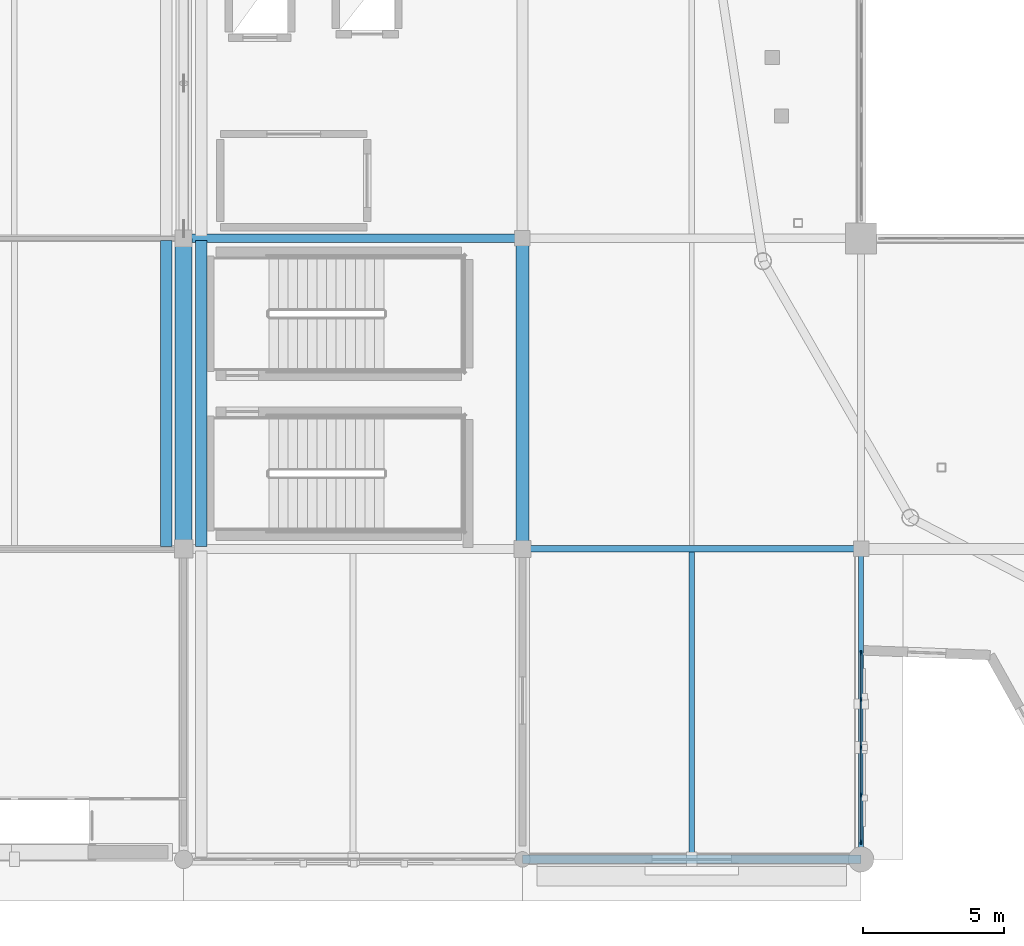
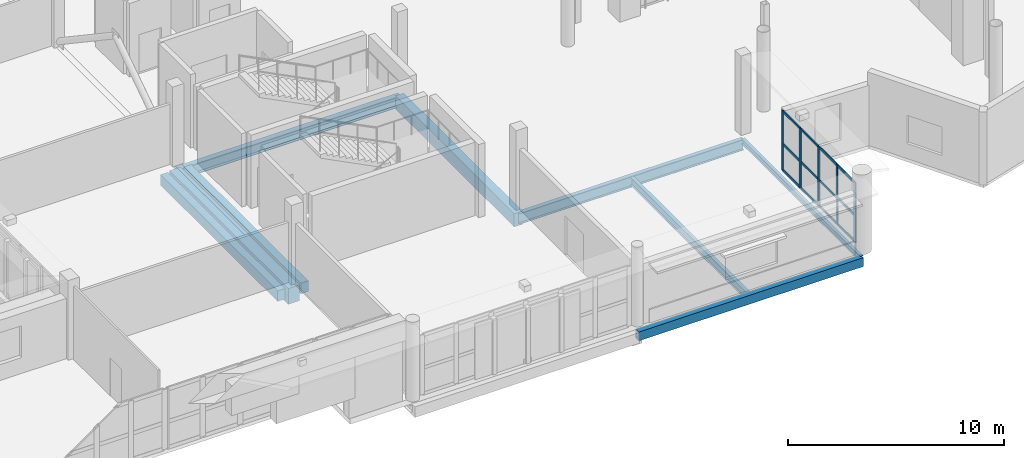
# One storey, part 27 of 118: 17 members, 9 beams, 1 element without a shape of its own.
"""IFC4 building model written with IfcOpenShell, lengths in metres."""

from ifc_helpers import new_model, si_unit, direction, frame, origin, origin_2d, place, context, subcontext, project, spatial, rectangle, hollow_rectangle, i_section, extrude, material, material_profile, profile_set, type_object, element, aggregate, save


model = new_model("IFC4")

# Units and contexts
model_context = context("Model", 3, precision=1e-05, world=origin(), true_north=direction((0.0, 1.0)))
body_context = subcontext(model_context, "Body", "Model", "MODEL_VIEW")
ifc_project = project(units=[si_unit("LENGTHUNIT", "METRE"), si_unit("AREAUNIT", "SQUARE_METRE"), si_unit("VOLUMEUNIT", "CUBIC_METRE"), si_unit("PLANEANGLEUNIT", "RADIAN"), si_unit("MASSUNIT", "GRAM", prefix="KILO")], contexts=[model_context])

# Site, building, storey
site_placement = place(None, origin())
site = spatial("IfcSite", under=ifc_project, at=site_placement, CompositionType="ELEMENT")
building_placement = place(site_placement, origin())
building = spatial("IfcBuilding", under=site, at=building_placement, Name="Luwafu Chhajja Arena", CompositionType="ELEMENT")
storey_placement = place(building_placement, frame((0.0, 0.0, 10.199951171875)))
storey = spatial("IfcBuildingStorey", under=building, at=storey_placement, Name="L02", CompositionType="ELEMENT", Elevation=10.199951171875)

# Curtain wall, members
ifc_material_1 = material(Name="Anodised bronze aluminium", Category="aluminium")
curtain_wall_type = type_object("IfcCurtainWallType", Name="Community Hall Street Curtain Wall", PredefinedType="USERDEFINED", material=ifc_material_1)
curtain_wall_placement = place(storey_placement, origin())
curtain_wall = element("IfcCurtainWall", 1, at=curtain_wall_placement, inside=storey, type_object=curtain_wall_type, Name="L02 Curtain Wall CWG-L02-V05_00", ObjectType="CURTAIN WALL", PredefinedType="USERDEFINED")
ifc_material_profile_1 = material_profile(ifc_material_1, rectangle(XDim=0.06005859375, YDim=0.159912109375, at=origin_2d()), Name="CWM 60x160")
ifc_profile_set_1 = profile_set([ifc_material_profile_1], Name="Anodised bronze aluminium")
member_type_1 = type_object("IfcMemberType", Name="Bronze Curtain Wall Mullion 60x160", PredefinedType="MULLION", material=ifc_profile_set_1)
member_1_placement = place(storey_placement, frame((58.0, 0.6201171875, 0.030029296875), z_axis=(0.0, 0.0, 1.0), x_axis=(-1.0, 0.0, 0.0)))
member_1 = element("IfcMember", 2, at=member_1_placement, type_object=member_type_1, Name="CW-09 mullion 1", PredefinedType="MULLION", context=body_context, shape_type="SweptSolid", body=[
    extrude(rectangle(XDim=0.06005859375, YDim=0.159912109375, at=origin_2d()), origin(), (0.0, 0.0, 1.0), 3.375),
])
member_2_placement = place(storey_placement, frame((58.0, 2.279541015625, 0.030029296875), z_axis=(0.0, 0.0, 1.0), x_axis=(-1.0, 0.0, 0.0)))
member_2 = element("IfcMember", 3, at=member_2_placement, type_object=member_type_1, Name="CW-09 mullion 2", PredefinedType="MULLION", context=body_context, shape_type="SweptSolid", body=[
    extrude(rectangle(XDim=0.06005859375, YDim=0.159912109375, at=origin_2d()), origin(), (0.0, 0.0, 1.0), 3.375),
])
member_3_placement = place(storey_placement, frame((58.0, 3.96923828125, 0.030029296875), z_axis=(0.0, 0.0, 1.0), x_axis=(-1.0, 0.0, 0.0)))
member_3 = element("IfcMember", 4, at=member_3_placement, type_object=member_type_1, Name="CW-09 mullion 3", PredefinedType="MULLION", context=body_context, shape_type="SweptSolid", body=[
    extrude(rectangle(XDim=0.06005859375, YDim=0.159912109375, at=origin_2d()), origin(), (0.0, 0.0, 1.0), 3.375),
])
member_4_placement = place(storey_placement, frame((58.0, 5.65869140625, 0.030029296875), z_axis=(0.0, 0.0, 1.0), x_axis=(-1.0, 0.0, 0.0)))
member_4 = element("IfcMember", 5, at=member_4_placement, type_object=member_type_1, Name="CW-09 mullion 4", PredefinedType="MULLION", context=body_context, shape_type="SweptSolid", body=[
    extrude(rectangle(XDim=0.06005859375, YDim=0.159912109375, at=origin_2d()), origin(), (0.0, 0.0, 1.0), 3.375),
])
member_5_placement = place(storey_placement, frame((58.0, 7.318359375, 0.030029296875), z_axis=(0.0, 0.0, 1.0), x_axis=(-1.0, 0.0, 0.0)))
member_5 = element("IfcMember", 6, at=member_5_placement, type_object=member_type_1, Name="CW-09 mullion 5", PredefinedType="MULLION", context=body_context, shape_type="SweptSolid", body=[
    extrude(rectangle(XDim=0.06005859375, YDim=0.159912109375, at=origin_2d()), origin(), (0.0, 0.0, 1.0), 3.375),
])
ifc_material_profile_2 = material_profile(ifc_material_1, rectangle(XDim=0.06005859375, YDim=0.1298828125, at=origin_2d()), Name="CWT 60x130")
ifc_profile_set_2 = profile_set([ifc_material_profile_2], Name="Anodised bronze aluminium")
member_type_2 = type_object("IfcMemberType", Name="Bronze Curtain Wall Transom 60x130", PredefinedType="USERDEFINED", material=ifc_profile_set_2)
member_6_placement = place(storey_placement, frame((58.0, 0.64990234375, 0.06005859375), z_axis=(0.0, 1.0, 0.0), x_axis=(-1.0, 0.0, 0.0)))
member_6 = element("IfcMember", 7, at=member_6_placement, type_object=member_type_2, Name="CW-09 transom 1.1", ObjectType="TRANSOM", PredefinedType="USERDEFINED", context=body_context, shape_type="SweptSolid", body=[
    extrude(rectangle(XDim=0.06005859375, YDim=0.1298828125, at=origin_2d()), origin(), (0.0, 0.0, 1.0), 1.599609375),
])
member_7_placement = place(storey_placement, frame((58.0, 0.64990234375, 1.532470703125), z_axis=(0.0, 1.0, 0.0), x_axis=(-1.0, 0.0, 0.0)))
member_7 = element("IfcMember", 8, at=member_7_placement, type_object=member_type_2, Name="CW-09 transom 1.2", ObjectType="TRANSOM", PredefinedType="USERDEFINED", context=body_context, shape_type="SweptSolid", body=[
    extrude(rectangle(XDim=0.06005859375, YDim=0.1298828125, at=origin_2d()), origin(), (0.0, 0.0, 1.0), 1.599609375),
])
member_8_placement = place(storey_placement, frame((58.0, 0.64990234375, 3.375), z_axis=(0.0, 1.0, 0.0), x_axis=(-1.0, 0.0, 0.0)))
member_8 = element("IfcMember", 9, at=member_8_placement, type_object=member_type_2, Name="CW-09 transom 1.3", ObjectType="TRANSOM", PredefinedType="USERDEFINED", context=body_context, shape_type="SweptSolid", body=[
    extrude(rectangle(XDim=0.06005859375, YDim=0.1298828125, at=origin_2d()), origin(), (0.0, 0.0, 1.0), 1.599609375),
])
member_9_placement = place(storey_placement, frame((58.0, 2.3095703125, 0.06005859375), z_axis=(0.0, 1.0, 0.0), x_axis=(-1.0, 0.0, 0.0)))
member_9 = element("IfcMember", 10, at=member_9_placement, type_object=member_type_2, Name="CW-09 transom 2.1", ObjectType="TRANSOM", PredefinedType="USERDEFINED", context=body_context, shape_type="SweptSolid", body=[
    extrude(rectangle(XDim=0.06005859375, YDim=0.1298828125, at=origin_2d()), origin(), (0.0, 0.0, 1.0), 1.629638671875),
])
member_10_placement = place(storey_placement, frame((58.0, 2.3095703125, 1.532470703125), z_axis=(0.0, 1.0, 0.0), x_axis=(-1.0, 0.0, 0.0)))
member_10 = element("IfcMember", 11, at=member_10_placement, type_object=member_type_2, Name="CW-09 transom 2.2", ObjectType="TRANSOM", PredefinedType="USERDEFINED", context=body_context, shape_type="SweptSolid", body=[
    extrude(rectangle(XDim=0.06005859375, YDim=0.1298828125, at=origin_2d()), origin(), (0.0, 0.0, 1.0), 1.629638671875),
])
member_11_placement = place(storey_placement, frame((58.0, 2.3095703125, 3.375), z_axis=(0.0, 1.0, 0.0), x_axis=(-1.0, 0.0, 0.0)))
member_11 = element("IfcMember", 12, at=member_11_placement, type_object=member_type_2, Name="CW-09 transom 2.3", ObjectType="TRANSOM", PredefinedType="USERDEFINED", context=body_context, shape_type="SweptSolid", body=[
    extrude(rectangle(XDim=0.06005859375, YDim=0.1298828125, at=origin_2d()), origin(), (0.0, 0.0, 1.0), 1.629638671875),
])
member_12_placement = place(storey_placement, frame((58.0, 3.999267578125, 0.06005859375), z_axis=(0.0, 1.0, 0.0), x_axis=(-1.0, 0.0, 0.0)))
member_12 = element("IfcMember", 13, at=member_12_placement, type_object=member_type_2, Name="CW-09 transom 3.1", ObjectType="TRANSOM", PredefinedType="USERDEFINED", context=body_context, shape_type="SweptSolid", body=[
    extrude(rectangle(XDim=0.06005859375, YDim=0.1298828125, at=origin_2d()), origin(), (0.0, 0.0, 1.0), 1.62939453125),
])
member_13_placement = place(storey_placement, frame((58.0, 3.999267578125, 1.532470703125), z_axis=(0.0, 1.0, 0.0), x_axis=(-1.0, 0.0, 0.0)))
member_13 = element("IfcMember", 14, at=member_13_placement, type_object=member_type_2, Name="CW-09 transom 3.2", ObjectType="TRANSOM", PredefinedType="USERDEFINED", context=body_context, shape_type="SweptSolid", body=[
    extrude(rectangle(XDim=0.06005859375, YDim=0.1298828125, at=origin_2d()), origin(), (0.0, 0.0, 1.0), 1.62939453125),
])
member_14_placement = place(storey_placement, frame((58.0, 3.999267578125, 3.375), z_axis=(0.0, 1.0, 0.0), x_axis=(-1.0, 0.0, 0.0)))
member_14 = element("IfcMember", 15, at=member_14_placement, type_object=member_type_2, Name="CW-09 transom 3.3", ObjectType="TRANSOM", PredefinedType="USERDEFINED", context=body_context, shape_type="SweptSolid", body=[
    extrude(rectangle(XDim=0.06005859375, YDim=0.1298828125, at=origin_2d()), origin(), (0.0, 0.0, 1.0), 1.62939453125),
])
member_15_placement = place(storey_placement, frame((58.0, 5.688720703125, 0.06005859375), z_axis=(0.0, 1.0, 0.0), x_axis=(-1.0, 0.0, 0.0)))
member_15 = element("IfcMember", 16, at=member_15_placement, type_object=member_type_2, Name="CW-09 transom 4.1", ObjectType="TRANSOM", PredefinedType="USERDEFINED", context=body_context, shape_type="SweptSolid", body=[
    extrude(rectangle(XDim=0.06005859375, YDim=0.1298828125, at=origin_2d()), origin(), (0.0, 0.0, 1.0), 1.599609375),
])
member_16_placement = place(storey_placement, frame((58.0, 5.688720703125, 1.532470703125), z_axis=(0.0, 1.0, 0.0), x_axis=(-1.0, 0.0, 0.0)))
member_16 = element("IfcMember", 17, at=member_16_placement, type_object=member_type_2, Name="CW-09 transom 4.2", ObjectType="TRANSOM", PredefinedType="USERDEFINED", context=body_context, shape_type="SweptSolid", body=[
    extrude(rectangle(XDim=0.06005859375, YDim=0.1298828125, at=origin_2d()), origin(), (0.0, 0.0, 1.0), 1.599609375),
])
member_17_placement = place(storey_placement, frame((58.0, 5.688720703125, 3.375), z_axis=(0.0, 1.0, 0.0), x_axis=(-1.0, 0.0, 0.0)))
member_17 = element("IfcMember", 18, at=member_17_placement, type_object=member_type_2, Name="CW-09 transom 4.3", ObjectType="TRANSOM", PredefinedType="USERDEFINED", context=body_context, shape_type="SweptSolid", body=[
    extrude(rectangle(XDim=0.06005859375, YDim=0.1298828125, at=origin_2d()), origin(), (0.0, 0.0, 1.0), 1.599609375),
])
aggregate(curtain_wall, [member_1, member_2, member_3, member_4, member_5, member_6, member_7, member_8, member_9, member_10, member_11, member_12, member_13, member_14, member_15, member_16, member_17])

# Beams
ifc_material_2 = material(Name="Steel S355", Category="steel")
ifc_material_profile_3 = material_profile(ifc_material_2, i_section(OverallWidth=0.165771484375, OverallDepth=0.306640625, WebThickness=0.006591796875, FlangeThickness=0.01171875, at=origin_2d()), Name="UB 305x165x46")
ifc_profile_set_3 = profile_set([ifc_material_profile_3], Name="Steel S355")
beam_type_1 = type_object("IfcBeamType", Name="Concourse Edge Spandrel Beam UB 305x165x46", PredefinedType="SPANDREL", material=ifc_profile_set_3)
beam_1_placement = place(storey_placement, frame((58.0, 0.0, -0.543212890625), z_axis=(0.0, 1.0, 0.0), x_axis=(-1.0, 0.0, 0.0)))
element("IfcBeam", 19, at=beam_1_placement, inside=storey, type_object=beam_type_1, Name="L02 Grid Beam 6/A-B", PredefinedType="SPANDREL", context=body_context, shape_type="SweptSolid", body=[
    extrude(i_section(OverallWidth=0.165771484375, OverallDepth=0.306640625, WebThickness=0.006591796875, FlangeThickness=0.01171875, at=origin_2d()), origin(), (0.0, 0.0, 1.0), 11.0),
])
ifc_material_3 = material(Name="Concrete C35/45", Category="concrete")
ifc_material_profile_4 = material_profile(ifc_material_3, rectangle(XDim=0.60009765625, YDim=0.89990234375, at=origin_2d()), Name="RC 600x900")
ifc_profile_set_4 = profile_set([ifc_material_profile_4], Name="Concrete C35/45")
beam_type_2 = type_object("IfcBeamType", Name="Concourse Primary Girder RC 600x900", PredefinedType="BEAM", material=ifc_profile_set_4)
beam_2_placement = place(storey_placement, frame((34.0, 11.0, -0.83984375), z_axis=(0.0, 1.0, 0.0), x_axis=(-1.0, 0.0, 0.0)))
element("IfcBeam", 20, at=beam_2_placement, inside=storey, type_object=beam_type_2, Name="L02 Grid Beam 4/B-C", PredefinedType="BEAM", context=body_context, shape_type="SweptSolid", body=[
    extrude(rectangle(XDim=0.60009765625, YDim=0.89990234375, at=origin_2d()), origin(), (0.0, 0.0, 1.0), 11.0),
])
ifc_material_profile_5 = material_profile(ifc_material_2, i_section(OverallWidth=0.19140625, OverallDepth=0.4599609375, WebThickness=0.010009765625, FlangeThickness=0.01611328125, at=origin_2d()), Name="UB 457x191x82")
ifc_profile_set_5 = profile_set([ifc_material_profile_5], Name="Steel S355")
beam_type_3 = type_object("IfcBeamType", Name="Floor Joist UB 457x191x82", PredefinedType="JOIST", material=ifc_profile_set_5)
beam_3_placement = place(storey_placement, frame((52.0, 0.14990234375, -0.619873046875), z_axis=(0.0, 1.0, 0.0), x_axis=(-1.0, 0.0, 0.0)))
element("IfcBeam", 21, at=beam_3_placement, inside=storey, type_object=beam_type_3, Name="L02 Secondary Joist 5-6/A", PredefinedType="JOIST", context=body_context, shape_type="SweptSolid", body=[
    extrude(i_section(OverallWidth=0.19140625, OverallDepth=0.4599609375, WebThickness=0.010009765625, FlangeThickness=0.01611328125, at=origin_2d()), origin(), (0.0, 0.0, 1.0), 10.735595703125),
])
ifc_material_profile_6 = material_profile(ifc_material_2, hollow_rectangle(XDim=0.300048828125, YDim=0.5, WallThickness=0.02001953125, at=origin_2d()), Name="RHS 500x300x20")
ifc_profile_set_6 = profile_set([ifc_material_profile_6], Name="Steel S355")
beam_type_4 = type_object("IfcBeamType", Name="Pleated Drum Spandrel Beam RHS 500x300", PredefinedType="SPANDREL", material=ifc_profile_set_6)
beam_4_placement = place(storey_placement, frame((46.0, 0.0, -0.639892578125), z_axis=(1.0, 0.0, 0.0), x_axis=(0.0, 1.0, 0.0)))
element("IfcBeam", 22, at=beam_4_placement, inside=storey, type_object=beam_type_4, Name="L02 Grid Beam 5-6/A", PredefinedType="SPANDREL", context=body_context, shape_type="SweptSolid", body=[
    extrude(hollow_rectangle(XDim=0.300048828125, YDim=0.5, WallThickness=0.02001953125, at=origin_2d()), origin(), (0.0, 0.0, 1.0), 12.0),
])
ifc_material_profile_7 = material_profile(ifc_material_3, rectangle(XDim=0.39990234375, YDim=0.60009765625, at=origin_2d()), Name="RC 400x600")
ifc_profile_set_7 = profile_set([ifc_material_profile_7], Name="Concrete C35/45")
beam_type_5 = type_object("IfcBeamType", Name="Podium Perimeter Spandrel RC 400x600", PredefinedType="SPANDREL", material=ifc_profile_set_7)
for number, where, z_axis, x_axis, name in (
    (23, (33.3798828125, 11.080078125, -0.68994140625), (0.0, 1.0, 0.0), (-1.0, 0.0, 0.0), "L02 Movement Joint MJ1W Seat Girder 01"),
    (24, (34.6201171875, 11.080078125, -0.68994140625), (0.0, 1.0, 0.0), (-1.0, 0.0, 0.0), "L02 Movement Joint MJ1E Seat Girder 01"),
):
    element("IfcBeam", number, at=place(storey_placement, frame(where, z_axis=z_axis, x_axis=x_axis)), inside=storey, type_object=beam_type_5, Name=name, PredefinedType="SPANDREL", context=body_context, shape_type="SweptSolid", body=[
        extrude(rectangle(XDim=0.39990234375, YDim=0.60009765625, at=origin_2d()), origin(), (0.0, 0.0, 1.0), 10.83984375),
    ])
ifc_material_profile_8 = material_profile(ifc_material_2, i_section(OverallWidth=0.300048828125, OverallDepth=0.60009765625, WebThickness=0.015380859375, FlangeThickness=0.030029296875, at=origin_2d()), Name="HEB 600")
ifc_profile_set_8 = profile_set([ifc_material_profile_8], Name="Steel S355")
beam_type_6 = type_object("IfcBeamType", Name="Steel Gallery Girder HEB 600", PredefinedType="BEAM", material=ifc_profile_set_8)
beam_5_placement = place(storey_placement, frame((34.0, 22.0, -0.68994140625), z_axis=(1.0, 0.0, 0.0), x_axis=(0.0, 1.0, 0.0)))
element("IfcBeam", 25, at=beam_5_placement, inside=storey, type_object=beam_type_6, Name="L02 Grid Beam 4-5/C", PredefinedType="BEAM", context=body_context, shape_type="SweptSolid", body=[
    extrude(i_section(OverallWidth=0.300048828125, OverallDepth=0.60009765625, WebThickness=0.015380859375, FlangeThickness=0.030029296875, at=origin_2d()), origin(), (0.0, 0.0, 1.0), 12.0),
])
ifc_material_profile_9 = material_profile(ifc_material_2, i_section(OverallWidth=0.22900390625, OverallDepth=0.6123046875, WebThickness=0.011962890625, FlangeThickness=0.01953125, at=origin_2d()), Name="UB 610x229x125")
ifc_profile_set_9 = profile_set([ifc_material_profile_9], Name="Steel S355")
beam_type_7 = type_object("IfcBeamType", Name="Steel Mezzanine Girder UB 610x229x125", PredefinedType="BEAM", material=ifc_profile_set_9)
beam_6_placement = place(storey_placement, frame((46.0, 11.0, -0.696044921875), z_axis=(1.0, 0.0, 0.0), x_axis=(0.0, 1.0, 0.0)))
element("IfcBeam", 26, at=beam_6_placement, inside=storey, type_object=beam_type_7, Name="L02 Grid Beam 5-6/B", PredefinedType="BEAM", context=body_context, shape_type="SweptSolid", body=[
    extrude(i_section(OverallWidth=0.22900390625, OverallDepth=0.6123046875, WebThickness=0.011962890625, FlangeThickness=0.01953125, at=origin_2d()), origin(), (0.0, 0.0, 1.0), 12.0),
])
ifc_material_profile_10 = material_profile(ifc_material_3, rectangle(XDim=0.449951171875, YDim=0.75, at=origin_2d()), Name="RC 450x750")
ifc_profile_set_10 = profile_set([ifc_material_profile_10], Name="Concrete C35/45")
beam_type_8 = type_object("IfcBeamType", Name="Wing Primary Beam RC 450x750", PredefinedType="BEAM", material=ifc_profile_set_10)
beam_7_placement = place(storey_placement, frame((46.0, 11.0, -0.764892578125), z_axis=(0.0, 1.0, 0.0), x_axis=(-1.0, 0.0, 0.0)))
element("IfcBeam", 27, at=beam_7_placement, inside=storey, type_object=beam_type_8, Name="L02 Grid Beam 5/B-C", PredefinedType="BEAM", context=body_context, shape_type="SweptSolid", body=[
    extrude(rectangle(XDim=0.449951171875, YDim=0.75, at=origin_2d()), origin(), (0.0, 0.0, 1.0), 11.0),
])

save(model, "model.ifc")
